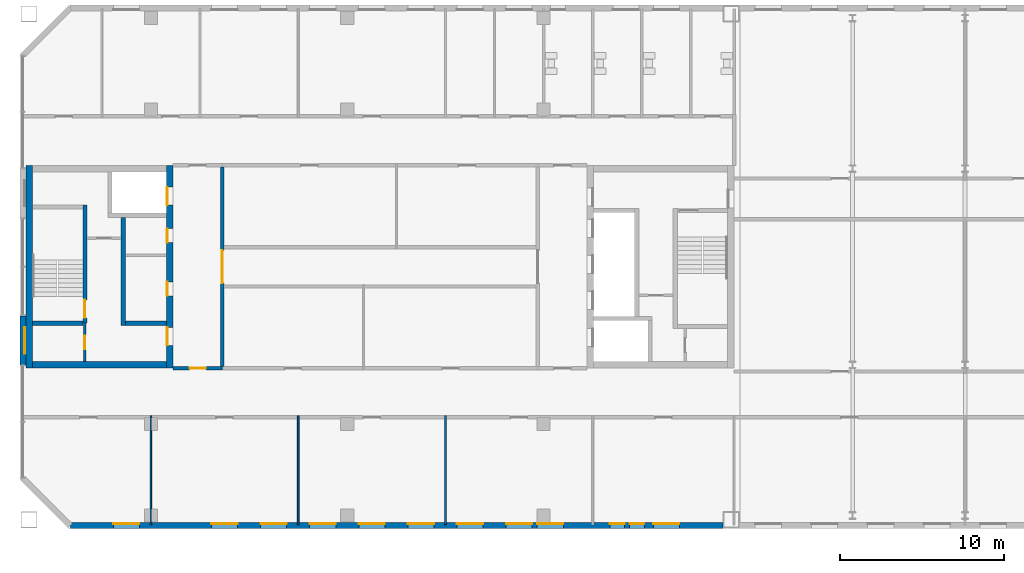
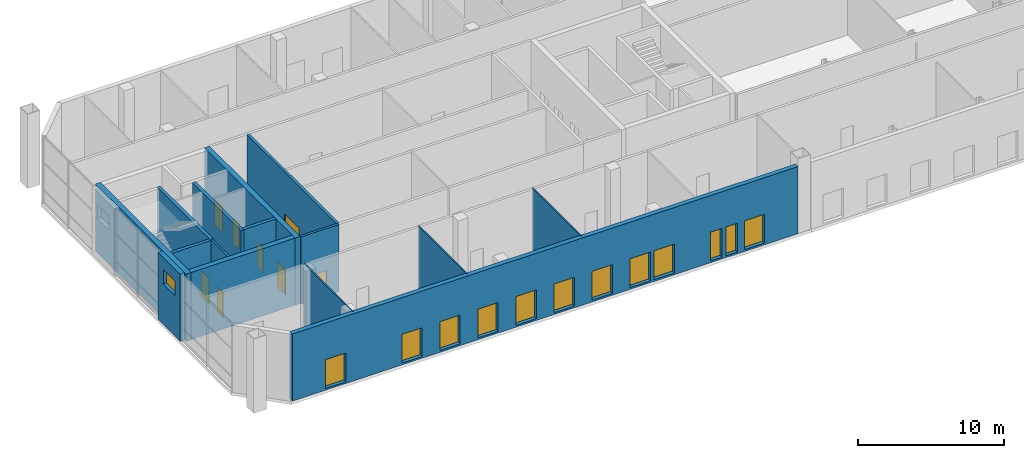
# One storey, part 8 of 20: 15 walls, 13 windows, 8 doors, 21 openings.
"""IFC4 building model written with IfcOpenShell, lengths in metres."""

from ifc_helpers import new_model, si_unit, direction, frame, frame_2d, origin, place, context, subcontext, project, spatial, rectangle, extrude, material, layer, layer_set, type_object, element, fill, save


model = new_model("IFC4")

# Units and contexts
model_context = context("Model", 3, precision=1e-05, world=origin(), true_north=direction((0.0, 1.0)))
body_context = subcontext(model_context, "Body", "Model", "MODEL_VIEW")
ifc_project = project(units=[si_unit("LENGTHUNIT", "METRE"), si_unit("AREAUNIT", "SQUARE_METRE"), si_unit("VOLUMEUNIT", "CUBIC_METRE"), si_unit("PLANEANGLEUNIT", "RADIAN"), si_unit("MASSUNIT", "GRAM", prefix="KILO")], contexts=[model_context])

# Site, building, storey
site_placement = place(None, origin())
site = spatial("IfcSite", under=ifc_project, at=site_placement, CompositionType="ELEMENT")
building_placement = place(site_placement, origin())
building = spatial("IfcBuilding", under=site, at=building_placement, Name="Tuart Gate Housing", CompositionType="ELEMENT")
storey_placement = place(building_placement, frame((0.0, 0.0, 215.199951171875)))
storey = spatial("IfcBuildingStorey", under=building, at=storey_placement, Name="L61", CompositionType="ELEMENT", Elevation=215.199951171875)

# Wall, openings, windows
ifc_material_1 = material(Name="Brick", Category="masonry")
ifc_layer_1 = layer(ifc_material_1, 0.360107421875)
ifc_layer_set_1 = layer_set([ifc_layer_1], Name="Brick pier and spandrel wall 360")
wall_type_1 = type_object("IfcWallType", Name="Brick pier and spandrel wall 360", PredefinedType="STANDARD", material=ifc_layer_set_1)
wall_1_placement = place(storey_placement, frame((35.07470703125, 54.179931640625, 0.0), z_axis=(0.0, 0.0, 1.0), x_axis=(1.0, 0.0, 0.0)))
wall_1 = element("IfcWall", 1, at=wall_1_placement, inside=storey, type_object=wall_type_1, Name="External wall BLK-S L61", PredefinedType="STANDARD", context=body_context, shape_type="SweptSolid", body=[
    extrude(rectangle(XDim=39.875244140625, YDim=0.360107421875, at=frame_2d((19.9375, 0.0))), origin(), (0.0, 0.0, 1.0), 5.60009765625),
])
opening_1_placement = place(wall_1_placement, frame((2.62548828125, 0.0, 0.14990234375)))
opening_1 = element("IfcOpeningElement", 2, at=opening_1_placement, cuts=wall_1, Name="Opening W2", PredefinedType="OPENING", context=body_context, shape_type="SweptSolid", body=[
    extrude(rectangle(XDim=1.60009765625, YDim=2.39990234375, at=frame_2d((0.800048828125, 1.199951171875))), frame((0.0, 0.18994140625, 0.0), z_axis=(0.0, -1.0, 0.0), x_axis=(1.0, 0.0, 0.0)), (0.0, 0.0, 1.0), 0.380126953125),
])
opening_2_placement = place(wall_1_placement, frame((8.62548828125, 0.0, 0.14990234375)))
opening_2 = element("IfcOpeningElement", 3, at=opening_2_placement, cuts=wall_1, Name="Opening W2", PredefinedType="OPENING", context=body_context, shape_type="SweptSolid", body=[
    extrude(rectangle(XDim=1.60009765625, YDim=2.39990234375, at=frame_2d((0.800048828125, 1.199951171875))), frame((0.0, 0.18994140625, 0.0), z_axis=(0.0, -1.0, 0.0), x_axis=(1.0, 0.0, 0.0)), (0.0, 0.0, 1.0), 0.380126953125),
])
opening_3_placement = place(wall_1_placement, frame((11.62548828125, 0.0, 0.14990234375)))
opening_3 = element("IfcOpeningElement", 4, at=opening_3_placement, cuts=wall_1, Name="Opening W2", PredefinedType="OPENING", context=body_context, shape_type="SweptSolid", body=[
    extrude(rectangle(XDim=1.60009765625, YDim=2.39990234375, at=frame_2d((0.800048828125, 1.199951171875))), frame((0.0, 0.18994140625, 0.0), z_axis=(0.0, -1.0, 0.0), x_axis=(1.0, 0.0, 0.0)), (0.0, 0.0, 1.0), 0.380126953125),
])
opening_4_placement = place(wall_1_placement, frame((14.62548828125, 0.0, 0.14990234375)))
opening_4 = element("IfcOpeningElement", 5, at=opening_4_placement, cuts=wall_1, Name="Opening W2", PredefinedType="OPENING", context=body_context, shape_type="SweptSolid", body=[
    extrude(rectangle(XDim=1.60009765625, YDim=2.39990234375, at=frame_2d((0.800048828125, 1.199951171875))), frame((0.0, 0.18994140625, 0.0), z_axis=(0.0, -1.0, 0.0), x_axis=(1.0, 0.0, 0.0)), (0.0, 0.0, 1.0), 0.380126953125),
])
opening_5_placement = place(wall_1_placement, frame((17.62548828125, 0.0, 0.14990234375)))
opening_5 = element("IfcOpeningElement", 6, at=opening_5_placement, cuts=wall_1, Name="Opening W2", PredefinedType="OPENING", context=body_context, shape_type="SweptSolid", body=[
    extrude(rectangle(XDim=1.60009765625, YDim=2.39990234375, at=frame_2d((0.800048828125, 1.199951171875))), frame((0.0, 0.18994140625, 0.0), z_axis=(0.0, -1.0, 0.0), x_axis=(1.0, 0.0, 0.0)), (0.0, 0.0, 1.0), 0.380126953125),
])
opening_6_placement = place(wall_1_placement, frame((20.62548828125, 0.0, 0.14990234375)))
opening_6 = element("IfcOpeningElement", 7, at=opening_6_placement, cuts=wall_1, Name="Opening W2", PredefinedType="OPENING", context=body_context, shape_type="SweptSolid", body=[
    extrude(rectangle(XDim=1.60009765625, YDim=2.39990234375, at=frame_2d((0.800048828125, 1.199951171875))), frame((0.0, 0.18994140625, 0.0), z_axis=(0.0, -1.0, 0.0), x_axis=(1.0, 0.0, 0.0)), (0.0, 0.0, 1.0), 0.380126953125),
])
opening_7_placement = place(wall_1_placement, frame((23.62548828125, 0.0, 0.14990234375)))
opening_7 = element("IfcOpeningElement", 8, at=opening_7_placement, cuts=wall_1, Name="Opening W2", PredefinedType="OPENING", context=body_context, shape_type="SweptSolid", body=[
    extrude(rectangle(XDim=1.60009765625, YDim=2.39990234375, at=frame_2d((0.800048828125, 1.199951171875))), frame((0.0, 0.18994140625, 0.0), z_axis=(0.0, -1.0, 0.0), x_axis=(1.0, 0.0, 0.0)), (0.0, 0.0, 1.0), 0.380126953125),
])
opening_8_placement = place(wall_1_placement, frame((26.62548828125, 0.0, 0.14990234375)))
opening_8 = element("IfcOpeningElement", 9, at=opening_8_placement, cuts=wall_1, Name="Opening W2", PredefinedType="OPENING", context=body_context, shape_type="SweptSolid", body=[
    extrude(rectangle(XDim=1.60009765625, YDim=2.39990234375, at=frame_2d((0.800048828125, 1.199951171875))), frame((0.0, 0.18994140625, 0.0), z_axis=(0.0, -1.0, 0.0), x_axis=(1.0, 0.0, 0.0)), (0.0, 0.0, 1.0), 0.380126953125),
])
opening_9_placement = place(wall_1_placement, frame((28.525390625, 0.0, 0.14990234375)))
opening_9 = element("IfcOpeningElement", 10, at=opening_9_placement, cuts=wall_1, Name="Opening W2", PredefinedType="OPENING", context=body_context, shape_type="SweptSolid", body=[
    extrude(rectangle(XDim=1.60009765625, YDim=2.39990234375, at=frame_2d((0.800048828125, 1.199951171875))), frame((0.0, 0.18994140625, 0.0), z_axis=(0.0, -1.0, 0.0), x_axis=(1.0, 0.0, 0.0)), (0.0, 0.0, 1.0), 0.380126953125),
])
opening_10_placement = place(wall_1_placement, frame((32.975341796875, 0.0, 0.14990234375)))
opening_10 = element("IfcOpeningElement", 11, at=opening_10_placement, cuts=wall_1, Name="Opening W2B", PredefinedType="OPENING", context=body_context, shape_type="SweptSolid", body=[
    extrude(rectangle(XDim=0.89990234375, YDim=2.39990234375, at=frame_2d((0.449951171875, 1.199951171875))), frame((0.0, 0.18994140625, 0.0), z_axis=(0.0, -1.0, 0.0), x_axis=(1.0, 0.0, 0.0)), (0.0, 0.0, 1.0), 0.380126953125),
])
opening_11_placement = place(wall_1_placement, frame((35.62548828125, 0.0, 0.14990234375)))
opening_11 = element("IfcOpeningElement", 12, at=opening_11_placement, cuts=wall_1, Name="Opening W2", PredefinedType="OPENING", context=body_context, shape_type="SweptSolid", body=[
    extrude(rectangle(XDim=1.60009765625, YDim=2.39990234375, at=frame_2d((0.800048828125, 1.199951171875))), frame((0.0, 0.18994140625, 0.0), z_axis=(0.0, -1.0, 0.0), x_axis=(1.0, 0.0, 0.0)), (0.0, 0.0, 1.0), 0.380126953125),
])
opening_12_placement = place(wall_1_placement, frame((34.17529296875, 0.0, 0.14990234375)))
opening_12 = element("IfcOpeningElement", 13, at=opening_12_placement, cuts=wall_1, Name="Opening W2B", PredefinedType="OPENING", context=body_context, shape_type="SweptSolid", body=[
    extrude(rectangle(XDim=0.89990234375, YDim=2.39990234375, at=frame_2d((0.449951171875, 1.199951171875))), frame((0.0, 0.18994140625, 0.0), z_axis=(0.0, -1.0, 0.0), x_axis=(1.0, 0.0, 0.0)), (0.0, 0.0, 1.0), 0.380126953125),
])
ifc_material_2 = material(Name="Aluminium frame with clear glass", Category="aluminium")
window_type_1 = type_object("IfcWindowType", Name="Garden lounge window 1600 x 2400", PartitioningType="SINGLE_PANEL", PredefinedType="WINDOW", material=ifc_material_2)
window_1_placement = place(opening_1_placement, origin())
window_1 = element("IfcWindow", 14, at=window_1_placement, inside=storey, type_object=window_type_1, Name="Window W2", OverallHeight=2.39990234375, OverallWidth=1.60009765625, PartitioningType="SINGLE_PANEL", PredefinedType="WINDOW", context=body_context, shape_type="SweptSolid", body=[
    extrude(rectangle(XDim=1.60009765625, YDim=2.39990234375, at=frame_2d((0.800048828125, 1.199951171875))), frame((0.0, 0.150146484375, 0.0), z_axis=(0.0, -1.0, 0.0), x_axis=(1.0, 0.0, 0.0)), (0.0, 0.0, 1.0), 0.06005859375),
])
fill(opening_1, window_1)
window_2_placement = place(opening_2_placement, origin())
window_2 = element("IfcWindow", 15, at=window_2_placement, inside=storey, type_object=window_type_1, Name="Window W2", OverallHeight=2.39990234375, OverallWidth=1.60009765625, PartitioningType="SINGLE_PANEL", PredefinedType="WINDOW", context=body_context, shape_type="SweptSolid", body=[
    extrude(rectangle(XDim=1.60009765625, YDim=2.39990234375, at=frame_2d((0.800048828125, 1.199951171875))), frame((0.0, 0.150146484375, 0.0), z_axis=(0.0, -1.0, 0.0), x_axis=(1.0, 0.0, 0.0)), (0.0, 0.0, 1.0), 0.06005859375),
])
fill(opening_2, window_2)
window_3_placement = place(opening_3_placement, origin())
window_3 = element("IfcWindow", 16, at=window_3_placement, inside=storey, type_object=window_type_1, Name="Window W2", OverallHeight=2.39990234375, OverallWidth=1.60009765625, PartitioningType="SINGLE_PANEL", PredefinedType="WINDOW", context=body_context, shape_type="SweptSolid", body=[
    extrude(rectangle(XDim=1.60009765625, YDim=2.39990234375, at=frame_2d((0.800048828125, 1.199951171875))), frame((0.0, 0.150146484375, 0.0), z_axis=(0.0, -1.0, 0.0), x_axis=(1.0, 0.0, 0.0)), (0.0, 0.0, 1.0), 0.06005859375),
])
fill(opening_3, window_3)
window_4_placement = place(opening_4_placement, origin())
window_4 = element("IfcWindow", 17, at=window_4_placement, inside=storey, type_object=window_type_1, Name="Window W2", OverallHeight=2.39990234375, OverallWidth=1.60009765625, PartitioningType="SINGLE_PANEL", PredefinedType="WINDOW", context=body_context, shape_type="SweptSolid", body=[
    extrude(rectangle(XDim=1.60009765625, YDim=2.39990234375, at=frame_2d((0.800048828125, 1.199951171875))), frame((0.0, 0.150146484375, 0.0), z_axis=(0.0, -1.0, 0.0), x_axis=(1.0, 0.0, 0.0)), (0.0, 0.0, 1.0), 0.06005859375),
])
fill(opening_4, window_4)
window_5_placement = place(opening_5_placement, origin())
window_5 = element("IfcWindow", 18, at=window_5_placement, inside=storey, type_object=window_type_1, Name="Window W2", OverallHeight=2.39990234375, OverallWidth=1.60009765625, PartitioningType="SINGLE_PANEL", PredefinedType="WINDOW", context=body_context, shape_type="SweptSolid", body=[
    extrude(rectangle(XDim=1.60009765625, YDim=2.39990234375, at=frame_2d((0.800048828125, 1.199951171875))), frame((0.0, 0.150146484375, 0.0), z_axis=(0.0, -1.0, 0.0), x_axis=(1.0, 0.0, 0.0)), (0.0, 0.0, 1.0), 0.06005859375),
])
fill(opening_5, window_5)
window_6_placement = place(opening_6_placement, origin())
window_6 = element("IfcWindow", 19, at=window_6_placement, inside=storey, type_object=window_type_1, Name="Window W2", OverallHeight=2.39990234375, OverallWidth=1.60009765625, PartitioningType="SINGLE_PANEL", PredefinedType="WINDOW", context=body_context, shape_type="SweptSolid", body=[
    extrude(rectangle(XDim=1.60009765625, YDim=2.39990234375, at=frame_2d((0.800048828125, 1.199951171875))), frame((0.0, 0.150146484375, 0.0), z_axis=(0.0, -1.0, 0.0), x_axis=(1.0, 0.0, 0.0)), (0.0, 0.0, 1.0), 0.06005859375),
])
fill(opening_6, window_6)
window_7_placement = place(opening_7_placement, origin())
window_7 = element("IfcWindow", 20, at=window_7_placement, inside=storey, type_object=window_type_1, Name="Window W2", OverallHeight=2.39990234375, OverallWidth=1.60009765625, PartitioningType="SINGLE_PANEL", PredefinedType="WINDOW", context=body_context, shape_type="SweptSolid", body=[
    extrude(rectangle(XDim=1.60009765625, YDim=2.39990234375, at=frame_2d((0.800048828125, 1.199951171875))), frame((0.0, 0.150146484375, 0.0), z_axis=(0.0, -1.0, 0.0), x_axis=(1.0, 0.0, 0.0)), (0.0, 0.0, 1.0), 0.06005859375),
])
fill(opening_7, window_7)
window_8_placement = place(opening_8_placement, origin())
window_8 = element("IfcWindow", 21, at=window_8_placement, inside=storey, type_object=window_type_1, Name="Window W2", OverallHeight=2.39990234375, OverallWidth=1.60009765625, PartitioningType="SINGLE_PANEL", PredefinedType="WINDOW", context=body_context, shape_type="SweptSolid", body=[
    extrude(rectangle(XDim=1.60009765625, YDim=2.39990234375, at=frame_2d((0.800048828125, 1.199951171875))), frame((0.0, 0.150146484375, 0.0), z_axis=(0.0, -1.0, 0.0), x_axis=(1.0, 0.0, 0.0)), (0.0, 0.0, 1.0), 0.06005859375),
])
fill(opening_8, window_8)
window_9_placement = place(opening_9_placement, origin())
window_9 = element("IfcWindow", 22, at=window_9_placement, inside=storey, type_object=window_type_1, Name="Window W2", OverallHeight=2.39990234375, OverallWidth=1.60009765625, PartitioningType="SINGLE_PANEL", PredefinedType="WINDOW", context=body_context, shape_type="SweptSolid", body=[
    extrude(rectangle(XDim=1.60009765625, YDim=2.39990234375, at=frame_2d((0.800048828125, 1.199951171875))), frame((0.0, 0.150146484375, 0.0), z_axis=(0.0, -1.0, 0.0), x_axis=(1.0, 0.0, 0.0)), (0.0, 0.0, 1.0), 0.06005859375),
])
fill(opening_9, window_9)
window_10_placement = place(opening_11_placement, origin())
window_10 = element("IfcWindow", 23, at=window_10_placement, inside=storey, type_object=window_type_1, Name="Window W2", OverallHeight=2.39990234375, OverallWidth=1.60009765625, PartitioningType="SINGLE_PANEL", PredefinedType="WINDOW", context=body_context, shape_type="SweptSolid", body=[
    extrude(rectangle(XDim=1.60009765625, YDim=2.39990234375, at=frame_2d((0.800048828125, 1.199951171875))), frame((0.0, 0.150146484375, 0.0), z_axis=(0.0, -1.0, 0.0), x_axis=(1.0, 0.0, 0.0)), (0.0, 0.0, 1.0), 0.06005859375),
])
fill(opening_11, window_10)
ifc_material_3 = material(Name="Aluminium frame with clear glass", Category="aluminium")
window_type_2 = type_object("IfcWindowType", Name="Garden lounge window 900 x 2400", PartitioningType="SINGLE_PANEL", PredefinedType="WINDOW", material=ifc_material_3)
window_11_placement = place(opening_10_placement, origin())
window_11 = element("IfcWindow", 24, at=window_11_placement, inside=storey, type_object=window_type_2, Name="Window W2B", OverallHeight=2.39990234375, OverallWidth=0.89990234375, PartitioningType="SINGLE_PANEL", PredefinedType="WINDOW", context=body_context, shape_type="SweptSolid", body=[
    extrude(rectangle(XDim=0.89990234375, YDim=2.39990234375, at=frame_2d((0.449951171875, 1.199951171875))), frame((0.0, 0.150146484375, 0.0), z_axis=(0.0, -1.0, 0.0), x_axis=(1.0, 0.0, 0.0)), (0.0, 0.0, 1.0), 0.06005859375),
])
fill(opening_10, window_11)
window_12_placement = place(opening_12_placement, origin())
window_12 = element("IfcWindow", 25, at=window_12_placement, inside=storey, type_object=window_type_2, Name="Window W2B", OverallHeight=2.39990234375, OverallWidth=0.89990234375, PartitioningType="SINGLE_PANEL", PredefinedType="WINDOW", context=body_context, shape_type="SweptSolid", body=[
    extrude(rectangle(XDim=0.89990234375, YDim=2.39990234375, at=frame_2d((0.449951171875, 1.199951171875))), frame((0.0, 0.150146484375, 0.0), z_axis=(0.0, -1.0, 0.0), x_axis=(1.0, 0.0, 0.0)), (0.0, 0.0, 1.0), 0.06005859375),
])
fill(opening_12, window_12)

# Wall, opening, window
wall_2_placement = place(storey_placement, frame((32.179931640625, 67.0, 0.0), z_axis=(0.0, 0.0, 1.0), x_axis=(0.0, -1.0, 0.0)))
wall_2 = element("IfcWall", 26, at=wall_2_placement, inside=storey, type_object=wall_type_1, Name="External wall BLK-W L61", PredefinedType="STANDARD", context=body_context, shape_type="SweptSolid", body=[
    extrude(rectangle(XDim=3.0, YDim=0.360107421875, at=frame_2d((1.5, 0.0))), origin(), (0.0, 0.0, 1.0), 5.60009765625),
])
opening_13_placement = place(wall_2_placement, frame((0.699951171875, 0.0, 3.39990234375)))
opening_13 = element("IfcOpeningElement", 27, at=opening_13_placement, cuts=wall_2, Name="Opening W3", PredefinedType="OPENING", context=body_context, shape_type="SweptSolid", body=[
    extrude(rectangle(XDim=1.60009765625, YDim=1.199951171875, at=frame_2d((0.800048828125, 0.60009765625))), frame((0.0, 0.18994140625, 0.0), z_axis=(0.0, -1.0, 0.0), x_axis=(1.0, 0.0, 0.0)), (0.0, 0.0, 1.0), 0.380126953125),
])
ifc_material_4 = material(Name="Aluminium louvre blades", Category="aluminium")
window_type_3 = type_object("IfcWindowType", Name="Louvre window 1600 x 1200", PartitioningType="DOUBLE_PANEL_HORIZONTAL", PredefinedType="WINDOW", material=ifc_material_4)
window_13_placement = place(opening_13_placement, origin())
window_13 = element("IfcWindow", 28, at=window_13_placement, inside=storey, type_object=window_type_3, Name="Louvre W3", OverallHeight=1.199951171875, OverallWidth=1.60009765625, PartitioningType="DOUBLE_PANEL_HORIZONTAL", PredefinedType="WINDOW", context=body_context, shape_type="SweptSolid", body=[
    extrude(rectangle(XDim=1.60009765625, YDim=1.199951171875, at=frame_2d((0.800048828125, 0.60009765625))), frame((0.0, 0.150146484375, 0.0), z_axis=(0.0, -1.0, 0.0), x_axis=(1.0, 0.0, 0.0)), (0.0, 0.0, 1.0), 0.06005859375),
])
fill(opening_13, window_13)

# Wall, opening, door
ifc_material_5 = material(Name="Plasterboard partition")
ifc_layer_2 = layer(ifc_material_5, 0.14990234375)
ifc_layer_set_2 = layer_set([ifc_layer_2], Name="Core partition 150")
wall_type_2 = type_object("IfcWallType", Name="Core partition 150", PredefinedType="PARTITIONING", material=ifc_layer_set_2)
wall_3_placement = place(storey_placement, frame((35.9599609375, 66.550048828125, 0.0), z_axis=(0.0, 0.0, 1.0), x_axis=(0.0, -1.0, 0.0)))
wall_3 = element("IfcWall", 29, at=wall_3_placement, inside=storey, type_object=wall_type_2, Name="Core partition AK.10", PredefinedType="PARTITIONING", context=body_context, shape_type="SweptSolid", body=[
    extrude(rectangle(XDim=2.35009765625, YDim=0.14990234375, at=frame_2d((1.175048828125, 0.0))), origin(), (0.0, 0.0, 1.0), 5.60009765625),
])
opening_14_placement = place(wall_3_placement, frame((0.75, 0.0, 0.0)))
opening_14 = element("IfcOpeningElement", 30, at=opening_14_placement, cuts=wall_3, Name="Opening D3027", PredefinedType="OPENING", context=body_context, shape_type="SweptSolid", body=[
    extrude(rectangle(XDim=0.85009765625, YDim=2.10009765625, at=frame_2d((0.425048828125, 1.050048828125))), frame((0.0, 0.0849609375, 0.0), z_axis=(0.0, -1.0, 0.0), x_axis=(1.0, 0.0, 0.0)), (0.0, 0.0, 1.0), 0.169921875),
])
ifc_material_6 = material(Name="Steel fire door", Category="steel")
door_type_1 = type_object("IfcDoorType", Name="Service door 850 x 2100 RH", OperationType="SINGLE_SWING_RIGHT", PredefinedType="DOOR", material=ifc_material_6)
door_1_placement = place(opening_14_placement, frame((0.85009765625, 0.0, 0.0), z_axis=(0.0, 0.0, 1.0), x_axis=(-1.0, 0.0, 0.0)))
door_1 = element("IfcDoor", 31, at=door_1_placement, inside=storey, type_object=door_type_1, Name="Service room door AK.ST", OperationType="SINGLE_SWING_RIGHT", OverallHeight=2.10009765625, OverallWidth=0.85009765625, PredefinedType="DOOR", context=body_context, shape_type="SweptSolid", body=[
    extrude(rectangle(XDim=0.85009765625, YDim=2.10009765625, at=frame_2d((0.425048828125, 1.050048828125))), frame((0.0, 0.025146484375, 0.0), z_axis=(0.0, -1.0, 0.0), x_axis=(1.0, 0.0, 0.0)), (0.0, 0.0, 1.0), 0.050048828125),
])
fill(opening_14, door_1)

# Walls
ifc_material_7 = material(Name="Concrete C40", Category="concrete")
ifc_layer_3 = layer(ifc_material_7, 0.25)
ifc_layer_set_3 = layer_set([ifc_layer_3], Name="Core wall 250 C40")
wall_type_3 = type_object("IfcWallType", Name="Core wall 250 C40", PredefinedType="SHEAR", material=ifc_layer_set_3)
wall_4_placement = place(storey_placement, frame((40.9599609375, 66.550048828125, 0.0), z_axis=(0.0, 0.0, 1.0), x_axis=(-1.0, 0.0, 0.0)))
element("IfcWall", 32, at=wall_4_placement, inside=storey, type_object=wall_type_3, Name="Core wall AK.5", PredefinedType="SHEAR", context=body_context, shape_type="SweptSolid", body=[
    extrude(rectangle(XDim=2.52490234375, YDim=0.25, at=frame_2d((1.262451171875, 0.0))), origin(), (0.0, 0.0, 1.0), 5.60009765625),
])
wall_5_placement = place(storey_placement, frame((35.8349609375, 66.550048828125, 0.0), z_axis=(0.0, 0.0, 1.0), x_axis=(-1.0, 0.0, 0.0)))
element("IfcWall", 33, at=wall_5_placement, inside=storey, type_object=wall_type_3, Name="Core wall AK.6", PredefinedType="SHEAR", context=body_context, shape_type="SweptSolid", body=[
    extrude(rectangle(XDim=3.074951171875, YDim=0.25, at=frame_2d((1.53759765625, 0.0))), origin(), (0.0, 0.0, 1.0), 5.60009765625),
])
wall_6_placement = place(storey_placement, frame((38.31005859375, 73.02490234375, 0.0), z_axis=(0.0, 0.0, 1.0), x_axis=(0.0, -1.0, 0.0)))
element("IfcWall", 34, at=wall_6_placement, inside=storey, type_object=wall_type_3, Name="Core wall AK.7", PredefinedType="SHEAR", context=body_context, shape_type="SweptSolid", body=[
    extrude(rectangle(XDim=6.599853515625, YDim=0.25, at=frame_2d((3.2998046875, 0.0))), origin(), (0.0, 0.0, 1.0), 5.60009765625),
])

# Wall, opening, door
wall_7_placement = place(storey_placement, frame((35.9599609375, 73.77490234375, 0.0), z_axis=(0.0, 0.0, 1.0), x_axis=(0.0, -1.0, 0.0)))
wall_7 = element("IfcWall", 35, at=wall_7_placement, inside=storey, type_object=wall_type_3, Name="Core wall AK.9", PredefinedType="SHEAR", context=body_context, shape_type="SweptSolid", body=[
    extrude(rectangle(XDim=7.224853515625, YDim=0.25, at=frame_2d((3.6123046875, 0.0))), origin(), (0.0, 0.0, 1.0), 5.60009765625),
])
opening_15_placement = place(wall_7_placement, frame((5.800048828125, 0.0, 0.0)))
opening_15 = element("IfcOpeningElement", 36, at=opening_15_placement, cuts=wall_7, Name="Opening D3018", PredefinedType="OPENING", context=body_context, shape_type="SweptSolid", body=[
    extrude(rectangle(XDim=1.10009765625, YDim=2.10009765625, at=frame_2d((0.550048828125, 1.050048828125))), frame((0.0, 0.135009765625, 0.0), z_axis=(0.0, -1.0, 0.0), x_axis=(1.0, 0.0, 0.0)), (0.0, 0.0, 1.0), 0.27001953125),
])
ifc_material_8 = material(Name="Steel fire door", Category="steel")
door_type_2 = type_object("IfcDoorType", Name="Stair door 1100 x 2100", OperationType="SINGLE_SWING_LEFT", PredefinedType="DOOR", material=ifc_material_8)
door_2_placement = place(opening_15_placement, frame((1.10009765625, 0.0, 0.0), z_axis=(0.0, 0.0, 1.0), x_axis=(-1.0, 0.0, 0.0)))
door_2 = element("IfcDoor", 37, at=door_2_placement, inside=storey, type_object=door_type_2, Name="Stair door AK.SD", OperationType="SINGLE_SWING_LEFT", OverallHeight=2.10009765625, OverallWidth=1.10009765625, PredefinedType="DOOR", context=body_context, shape_type="SweptSolid", body=[
    extrude(rectangle(XDim=1.10009765625, YDim=2.10009765625, at=frame_2d((0.550048828125, 1.050048828125))), frame((0.0, 0.025146484375, 0.0), z_axis=(0.0, -1.0, 0.0), x_axis=(1.0, 0.0, 0.0)), (0.0, 0.0, 1.0), 0.050048828125),
])
fill(opening_15, door_2)

# Wall, openings, doors
ifc_material_9 = material(Name="Concrete C40", Category="concrete")
ifc_layer_4 = layer(ifc_material_9, 0.39990234375)
ifc_layer_set_4 = layer_set([ifc_layer_4], Name="Core wall 400 C40")
wall_type_4 = type_object("IfcWallType", Name="Core wall 400 C40", PredefinedType="SHEAR", material=ifc_layer_set_4)
wall_8_placement = place(storey_placement, frame((41.159912109375, 76.199951171875, 0.0), z_axis=(0.0, 0.0, 1.0), x_axis=(0.0, -1.0, 0.0)))
wall_8 = element("IfcWall", 38, at=wall_8_placement, inside=storey, type_object=wall_type_4, Name="Core wall AK front", PredefinedType="SHEAR", context=body_context, shape_type="SweptSolid", body=[
    extrude(rectangle(XDim=12.39990234375, YDim=0.39990234375, at=frame_2d((6.199951171875, 0.0))), origin(), (0.0, 0.0, 1.0), 5.60009765625),
])
opening_16_placement = place(wall_8_placement, frame((1.324951171875, 0.0, 0.0)))
opening_16 = element("IfcOpeningElement", 39, at=opening_16_placement, cuts=wall_8, Name="Opening LD-FA2", PredefinedType="OPENING", context=body_context, shape_type="SweptSolid", body=[
    extrude(rectangle(XDim=1.10009765625, YDim=2.10009765625, at=frame_2d((0.550048828125, 1.050048828125))), frame((0.0, 0.2099609375, 0.0), z_axis=(0.0, -1.0, 0.0), x_axis=(1.0, 0.0, 0.0)), (0.0, 0.0, 1.0), 0.419921875),
])
opening_17_placement = place(wall_8_placement, frame((3.875, 0.0, 0.0)))
opening_17 = element("IfcOpeningElement", 40, at=opening_17_placement, cuts=wall_8, Name="Opening D3020", PredefinedType="OPENING", context=body_context, shape_type="SweptSolid", body=[
    extrude(rectangle(XDim=0.85009765625, YDim=2.10009765625, at=frame_2d((0.425048828125, 1.050048828125))), frame((0.0, 0.2099609375, 0.0), z_axis=(0.0, -1.0, 0.0), x_axis=(1.0, 0.0, 0.0)), (0.0, 0.0, 1.0), 0.419921875),
])
opening_18_placement = place(wall_8_placement, frame((7.125, 0.0, 0.0)))
opening_18 = element("IfcOpeningElement", 41, at=opening_18_placement, cuts=wall_8, Name="Opening D3021", PredefinedType="OPENING", context=body_context, shape_type="SweptSolid", body=[
    extrude(rectangle(XDim=0.85009765625, YDim=2.10009765625, at=frame_2d((0.425048828125, 1.050048828125))), frame((0.0, 0.2099609375, 0.0), z_axis=(0.0, -1.0, 0.0), x_axis=(1.0, 0.0, 0.0)), (0.0, 0.0, 1.0), 0.419921875),
])
opening_19_placement = place(wall_8_placement, frame((9.89990234375, 0.0, 0.0)))
opening_19 = element("IfcOpeningElement", 42, at=opening_19_placement, cuts=wall_8, Name="Opening D3019", PredefinedType="OPENING", context=body_context, shape_type="SweptSolid", body=[
    extrude(rectangle(XDim=1.10009765625, YDim=2.10009765625, at=frame_2d((0.550048828125, 1.050048828125))), frame((0.0, 0.2099609375, 0.0), z_axis=(0.0, -1.0, 0.0), x_axis=(1.0, 0.0, 0.0)), (0.0, 0.0, 1.0), 0.419921875),
])
ifc_material_10 = material(Name="Stainless steel", Category="steel")
door_type_3 = type_object("IfcDoorType", Name="Landing door 1100 x 2100", OperationType="DOUBLE_DOOR_SLIDING", PredefinedType="DOOR", material=ifc_material_10)
door_3_placement = place(opening_16_placement, origin())
door_3 = element("IfcDoor", 43, at=door_3_placement, inside=storey, type_object=door_type_3, Name="Lift landing door FA2", OperationType="DOUBLE_DOOR_SLIDING", OverallHeight=2.10009765625, OverallWidth=1.10009765625, PredefinedType="DOOR", context=body_context, shape_type="SweptSolid", body=[
    extrude(rectangle(XDim=1.10009765625, YDim=2.10009765625, at=frame_2d((0.550048828125, 1.050048828125))), frame((0.0, -0.134765625, 0.0), z_axis=(0.0, -1.0, 0.0), x_axis=(1.0, 0.0, 0.0)), (0.0, 0.0, 1.0), 0.050048828125),
])
fill(opening_16, door_3)
ifc_material_11 = material(Name="Steel fire door", Category="steel")
door_type_4 = type_object("IfcDoorType", Name="Lobby door 1100 x 2100 RH", OperationType="SINGLE_SWING_RIGHT", PredefinedType="DOOR", material=ifc_material_11)
door_4_placement = place(opening_19_placement, frame((1.10009765625, 0.0, 0.0), z_axis=(0.0, 0.0, 1.0), x_axis=(-1.0, 0.0, 0.0)))
door_4 = element("IfcDoor", 44, at=door_4_placement, inside=storey, type_object=door_type_4, Name="Lobby entry door AK.EN", OperationType="SINGLE_SWING_RIGHT", OverallHeight=2.10009765625, OverallWidth=1.10009765625, PredefinedType="DOOR", context=body_context, shape_type="SweptSolid", body=[
    extrude(rectangle(XDim=1.10009765625, YDim=2.10009765625, at=frame_2d((0.550048828125, 1.050048828125))), frame((0.0, 0.184814453125, 0.0), z_axis=(0.0, -1.0, 0.0), x_axis=(1.0, 0.0, 0.0)), (0.0, 0.0, 1.0), 0.050048828125),
])
fill(opening_19, door_4)
door_5_placement = place(opening_17_placement, frame((0.85009765625, 0.0, 0.0), z_axis=(0.0, 0.0, 1.0), x_axis=(-1.0, 0.0, 0.0)))
door_5 = element("IfcDoor", 45, at=door_5_placement, inside=storey, type_object=door_type_1, Name="Service room door AK.FR1", OperationType="SINGLE_SWING_RIGHT", OverallHeight=2.10009765625, OverallWidth=0.85009765625, PredefinedType="DOOR", context=body_context, shape_type="SweptSolid", body=[
    extrude(rectangle(XDim=0.85009765625, YDim=2.10009765625, at=frame_2d((0.425048828125, 1.050048828125))), frame((0.0, 0.184814453125, 0.0), z_axis=(0.0, -1.0, 0.0), x_axis=(1.0, 0.0, 0.0)), (0.0, 0.0, 1.0), 0.050048828125),
])
fill(opening_17, door_5)
door_6_placement = place(opening_18_placement, frame((0.85009765625, 0.0, 0.0), z_axis=(0.0, 0.0, 1.0), x_axis=(-1.0, 0.0, 0.0)))
door_6 = element("IfcDoor", 46, at=door_6_placement, inside=storey, type_object=door_type_1, Name="Service room door AK.FR2", OperationType="SINGLE_SWING_RIGHT", OverallHeight=2.10009765625, OverallWidth=0.85009765625, PredefinedType="DOOR", context=body_context, shape_type="SweptSolid", body=[
    extrude(rectangle(XDim=0.85009765625, YDim=2.10009765625, at=frame_2d((0.425048828125, 1.050048828125))), frame((0.0, 0.184814453125, 0.0), z_axis=(0.0, -1.0, 0.0), x_axis=(1.0, 0.0, 0.0)), (0.0, 0.0, 1.0), 0.050048828125),
])
fill(opening_18, door_6)

# Walls
wall_9_placement = place(storey_placement, frame((32.56005859375, 76.199951171875, 0.0), z_axis=(0.0, 0.0, 1.0), x_axis=(0.0, -1.0, 0.0)))
element("IfcWall", 47, at=wall_9_placement, inside=storey, type_object=wall_type_4, Name="Core wall AK back", PredefinedType="SHEAR", context=body_context, shape_type="SweptSolid", body=[
    extrude(rectangle(XDim=12.39990234375, YDim=0.39990234375, at=frame_2d((6.199951171875, 0.0))), origin(), (0.0, 0.0, 1.0), 5.60009765625),
])
wall_10_placement = place(storey_placement, frame((40.9599609375, 64.0, 0.0), z_axis=(0.0, 0.0, 1.0), x_axis=(-1.0, 0.0, 0.0)))
element("IfcWall", 48, at=wall_10_placement, inside=storey, type_object=wall_type_4, Name="Core wall AK north", PredefinedType="SHEAR", context=body_context, shape_type="SweptSolid", body=[
    extrude(rectangle(XDim=8.199951171875, YDim=0.39990234375, at=frame_2d((4.10009765625, 0.0))), origin(), (0.0, 0.0, 1.0), 5.60009765625),
])

# Wall, opening, door
ifc_material_12 = material(Name="Concrete masonry 15 MPa", Category="masonry")
ifc_layer_5 = layer(ifc_material_12, 0.199951171875)
ifc_layer_set_5 = layer_set([ifc_layer_5], Name="Enclosure wall masonry 200")
wall_type_5 = type_object("IfcWallType", Name="Enclosure wall masonry 200", PredefinedType="PARTITIONING", material=ifc_layer_set_5)
wall_11_placement = place(storey_placement, frame((41.360107421875, 63.800048828125, 0.0), z_axis=(0.0, 0.0, 1.0), x_axis=(1.0, 0.0, 0.0)))
wall_11 = element("IfcWall", 49, at=wall_11_placement, inside=storey, type_object=wall_type_5, Name="Enclosure wall masonry 200", PredefinedType="PARTITIONING", context=body_context, shape_type="SweptSolid", body=[
    extrude(rectangle(XDim=3.0, YDim=0.199951171875, at=frame_2d((1.5, 0.0))), origin(), (0.0, 0.0, 1.0), 5.60009765625),
])
opening_20_placement = place(wall_11_placement, frame((1.0, 0.0, 0.0)))
opening_20 = element("IfcOpeningElement", 50, at=opening_20_placement, cuts=wall_11, Name="Opening D3029", PredefinedType="OPENING", context=body_context, shape_type="SweptSolid", body=[
    extrude(rectangle(XDim=1.0, YDim=2.10009765625, at=frame_2d((0.5, 1.050048828125))), frame((0.0, 0.10986328125, 0.0), z_axis=(0.0, -1.0, 0.0), x_axis=(1.0, 0.0, 0.0)), (0.0, 0.0, 1.0), 0.219970703125),
])
ifc_material_13 = material(Name="Timber door leaf in steel frame", Category="steel")
door_type_5 = type_object("IfcDoorType", Name="Lobby door 1000 RH", OperationType="SINGLE_SWING_RIGHT", PredefinedType="DOOR", material=ifc_material_13)
door_7_placement = place(opening_20_placement, origin())
door_7 = element("IfcDoor", 51, at=door_7_placement, inside=storey, type_object=door_type_5, Name="Lobby door 1000", OperationType="SINGLE_SWING_RIGHT", OverallHeight=2.10009765625, OverallWidth=1.0, PredefinedType="DOOR", context=body_context, shape_type="SweptSolid", body=[
    extrude(rectangle(XDim=1.0, YDim=2.10009765625, at=frame_2d((0.5, 1.050048828125))), frame((0.0, 0.02490234375, 0.0), z_axis=(0.0, -1.0, 0.0), x_axis=(1.0, 0.0, 0.0)), (0.0, 0.0, 1.0), 0.050048828125),
])
fill(opening_20, door_7)

ifc_material_14 = material(Name="Plasterboard partition")
ifc_layer_6 = layer(ifc_material_14, 0.199951171875)
ifc_layer_set_6 = layer_set([ifc_layer_6], Name="Lobby wall 200")
wall_type_6 = type_object("IfcWallType", Name="Lobby wall 200", PredefinedType="PARTITIONING", material=ifc_layer_set_6)
wall_12_placement = place(storey_placement, frame((44.360107421875, 63.89990234375, 0.0), z_axis=(0.0, 0.0, 1.0), x_axis=(0.0, 1.0, 0.0)))
wall_12 = element("IfcWall", 52, at=wall_12_placement, inside=storey, type_object=wall_type_6, Name="Lift lobby wall AK", PredefinedType="PARTITIONING", context=body_context, shape_type="SweptSolid", body=[
    extrude(rectangle(XDim=12.2001953125, YDim=0.199951171875, at=frame_2d((6.10009765625, 0.0))), origin(), (0.0, 0.0, 1.0), 5.60009765625),
])
opening_21_placement = place(wall_12_placement, frame((5.10009765625, 0.0, 0.0)))
opening_21 = element("IfcOpeningElement", 53, at=opening_21_placement, cuts=wall_12, Name="Opening D3022", PredefinedType="OPENING", context=body_context, shape_type="SweptSolid", body=[
    extrude(rectangle(XDim=2.0, YDim=2.10009765625, at=frame_2d((1.0, 1.050048828125))), frame((0.0, 0.10986328125, 0.0), z_axis=(0.0, -1.0, 0.0), x_axis=(1.0, 0.0, 0.0)), (0.0, 0.0, 1.0), 0.219970703125),
])
ifc_material_15 = material(Name="Steel fire door", Category="steel")
door_type_6 = type_object("IfcDoorType", Name="Smoke door 2000 x 2100", OperationType="DOUBLE_DOOR_SINGLE_SWING", PredefinedType="DOOR", material=ifc_material_15)
door_8_placement = place(opening_21_placement, origin())
door_8 = element("IfcDoor", 54, at=door_8_placement, inside=storey, type_object=door_type_6, Name="Lift lobby smoke door AK", OperationType="DOUBLE_DOOR_SINGLE_SWING", OverallHeight=2.10009765625, OverallWidth=2.0, PredefinedType="DOOR", context=body_context, shape_type="SweptSolid", body=[
    extrude(rectangle(XDim=2.0, YDim=2.10009765625, at=frame_2d((1.0, 1.050048828125))), frame((0.0, 0.02490234375, 0.0), z_axis=(0.0, -1.0, 0.0), x_axis=(1.0, 0.0, 0.0)), (0.0, 0.0, 1.0), 0.050048828125),
])
fill(opening_21, door_8)

# Walls
ifc_material_16 = material(Name="Gypsum board on steel studs", Category="steel")
ifc_layer_7 = layer(ifc_material_16, 0.10009765625)
ifc_layer_set_7 = layer_set([ifc_layer_7], Name="Partition 100")
wall_type_7 = type_object("IfcWallType", Name="Partition 100", PredefinedType="PARTITIONING", material=ifc_layer_set_7)
for number, where, z_axis, x_axis, name in (
    (55, (40.0, 54.239990234375, 0.0), (0.0, 0.0, 1.0), (0.0, 1.0, 0.0), "Partition 100"),
    (56, (49.0, 54.239990234375, 0.0), (0.0, 0.0, 1.0), (0.0, 1.0, 0.0), "Partition 100"),
    (57, (58.0, 54.239990234375, 0.0), (0.0, 0.0, 1.0), (0.0, 1.0, 0.0), "Partition 100"),
):
    element("IfcWall", number, at=place(storey_placement, frame(where, z_axis=z_axis, x_axis=x_axis)), inside=storey, type_object=wall_type_7, Name=name, PredefinedType="PARTITIONING", context=body_context, shape_type="SweptSolid", body=[
        extrude(rectangle(XDim=6.659912109375, YDim=0.10009765625, at=frame_2d((3.330078125, 0.0))), origin(), (0.0, 0.0, 1.0), 5.60009765625),
    ])

save(model, "model.ifc")
